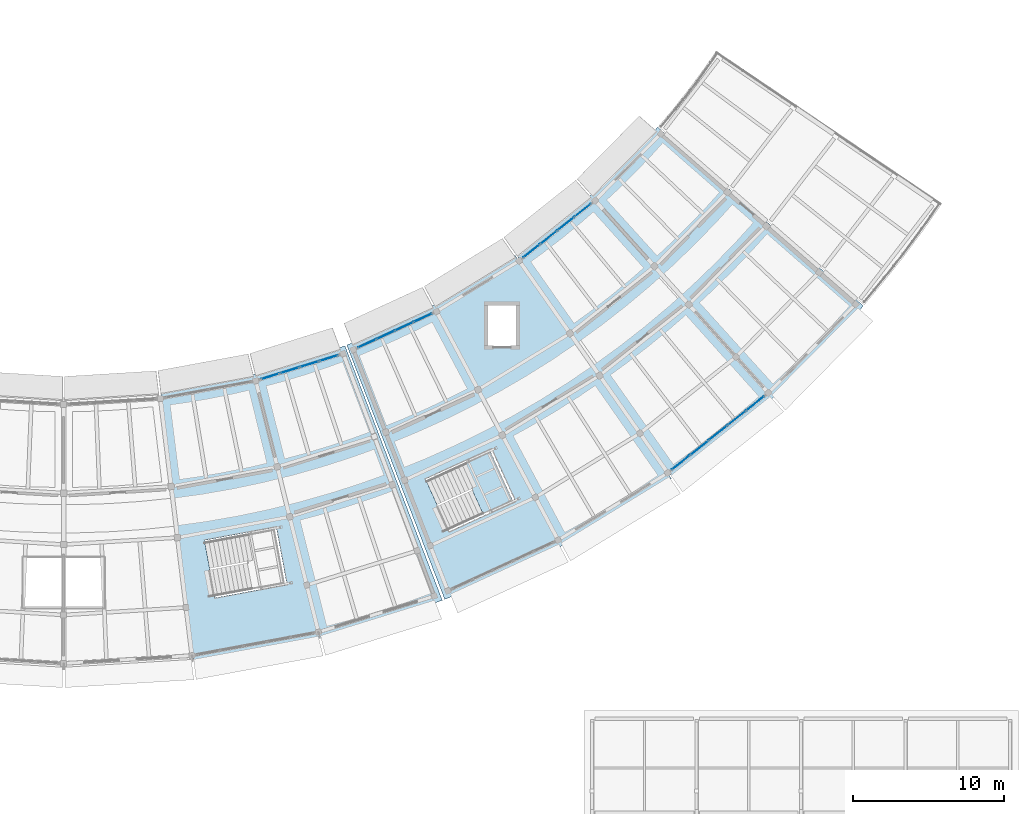
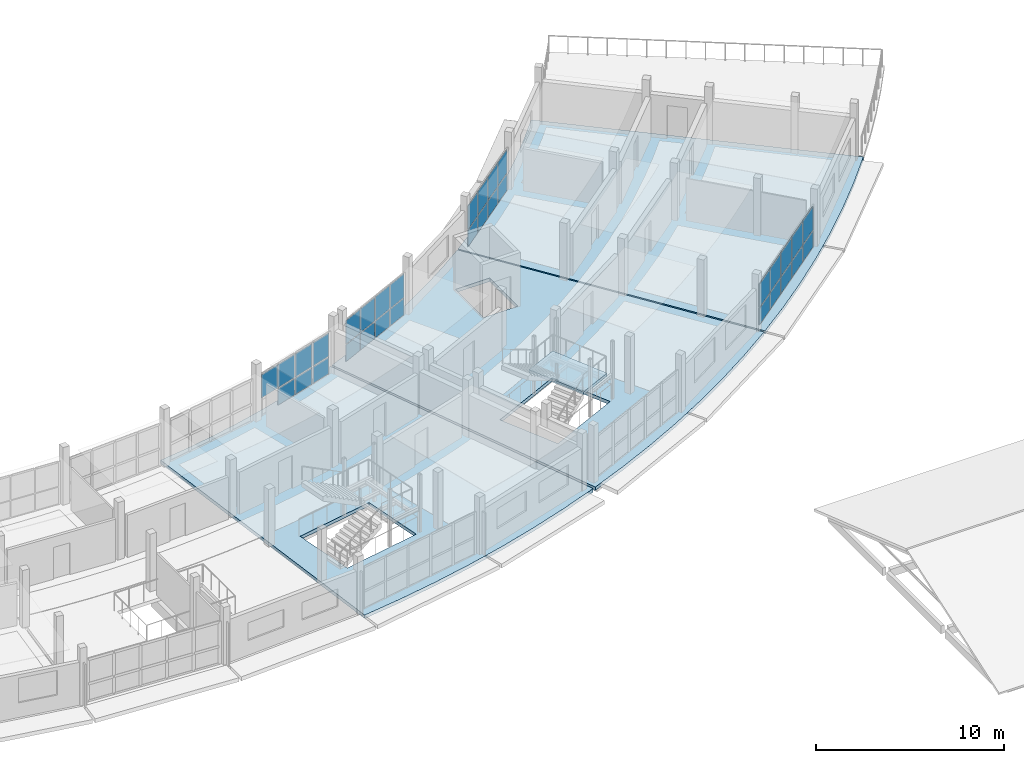
# One storey, part 44 of 66: 33 plates, 4 slabs, 5 elements without a shape of their own.
"""IFC4 building model written with IfcOpenShell, lengths in metres."""

from ifc_helpers import new_model, si_unit, direction, frame, origin, origin_2d, place, context, subcontext, project, spatial, polyline, rectangle, outline, extrude, material, layer, layer_set, type_object, element, aggregate, save


model = new_model("IFC4")

# Units and contexts
model_context = context("Model", 3, precision=1e-05, world=origin(), true_north=direction((0.0, 1.0)))
body_context = subcontext(model_context, "Body", "Model", "MODEL_VIEW")
ifc_project = project(units=[si_unit("LENGTHUNIT", "METRE"), si_unit("AREAUNIT", "SQUARE_METRE"), si_unit("VOLUMEUNIT", "CUBIC_METRE"), si_unit("PLANEANGLEUNIT", "RADIAN"), si_unit("MASSUNIT", "GRAM", prefix="KILO")], contexts=[model_context])

# Site, building, storey
site_placement = place(None, origin())
site = spatial("IfcSite", under=ifc_project, at=site_placement, CompositionType="ELEMENT")
building_placement = place(site_placement, origin())
building = spatial("IfcBuilding", under=site, at=building_placement, Name="Caldaven Crescent School", CompositionType="ELEMENT")
storey_placement = place(building_placement, frame((0.0, 0.0, 8.159912109375)))
storey = spatial("IfcBuildingStorey", under=building, at=storey_placement, Name="L02", CompositionType="ELEMENT", Elevation=8.159912109375)

# Curtain wall, plates
ifc_material_1 = material(Name="Anodised aluminium AA 6063-T6 and low-E double glazing", Category="aluminium")
ifc_layer_1 = layer(ifc_material_1, 0.22998046875)
ifc_layer_set_1 = layer_set([ifc_layer_1], Name="Anodised aluminium AA 6063-T6 and low-E double glazing")
curtain_wall_type_1 = type_object("IfcCurtainWallType", Name="CW-SYS4", PredefinedType="NOTDEFINED", material=ifc_layer_set_1)
curtain_wall_1_placement = place(storey_placement, origin())
curtain_wall_1 = element("IfcCurtainWall", 1, at=curtain_wall_1_placement, inside=storey, type_object=curtain_wall_type_1, Name="CW-L02-148", PredefinedType="NOTDEFINED")
ifc_material_2 = material(Name="Tempered low-E double glazing IGU", Category="glass")
ifc_layer_2 = layer(ifc_material_2, 0.033935546875)
ifc_layer_set_2 = layer_set([ifc_layer_2], Name="Tempered low-E double glazing IGU")
plate_type_1 = type_object("IfcPlateType", Name="PLT-CWP05", PredefinedType="CURTAIN_PANEL", material=ifc_layer_set_2)
plate_1_placement = place(storey_placement, frame((101.6416015625, 45.40478515625, 1.203125), z_axis=(0.0, 0.0, 1.0), x_axis=(0.954746818344, 0.297419758694, 0.0)))
plate_1 = element("IfcPlate", 2, at=plate_1_placement, type_object=plate_type_1, Name="CW4 panel 1.2", PredefinedType="CURTAIN_PANEL", context=body_context, shape_type="SweptSolid", body=[
    extrude(rectangle(XDim=1.255859375, YDim=0.033935546875, at=origin_2d()), origin(), (0.0, 0.0, 1.0), 1.507080078125),
])
plate_2_placement = place(storey_placement, frame((102.924072265625, 45.804443359375, 0.070068359375), z_axis=(0.0, 0.0, 1.0), x_axis=(0.954746818344, 0.297419758694, 0.0)))
plate_2 = element("IfcPlate", 3, at=plate_2_placement, type_object=plate_type_1, Name="CW4 panel 2.1", PredefinedType="CURTAIN_PANEL", context=body_context, shape_type="SweptSolid", body=[
    extrude(rectangle(XDim=1.290771484375, YDim=0.033935546875, at=origin_2d()), origin(), (0.0, 0.0, 1.0), 1.06298828125),
])
plate_3_placement = place(storey_placement, frame((102.924072265625, 45.804443359375, 1.203125), z_axis=(0.0, 0.0, 1.0), x_axis=(0.954746818344, 0.297419758694, 0.0)))
plate_3 = element("IfcPlate", 4, at=plate_3_placement, type_object=plate_type_1, Name="CW4 panel 2.2", PredefinedType="CURTAIN_PANEL", context=body_context, shape_type="SweptSolid", body=[
    extrude(rectangle(XDim=1.290771484375, YDim=0.033935546875, at=origin_2d()), origin(), (0.0, 0.0, 1.0), 1.507080078125),
])
plate_4_placement = place(storey_placement, frame((104.223388671875, 46.208984375, 0.070068359375), z_axis=(0.0, 0.0, 1.0), x_axis=(0.954746818344, 0.297419758694, 0.0)))
plate_4 = element("IfcPlate", 5, at=plate_4_placement, type_object=plate_type_1, Name="CW4 panel 3.1", PredefinedType="CURTAIN_PANEL", context=body_context, shape_type="SweptSolid", body=[
    extrude(rectangle(XDim=1.290771484375, YDim=0.033935546875, at=origin_2d()), origin(), (0.0, 0.0, 1.0), 1.06298828125),
])
plate_5_placement = place(storey_placement, frame((104.223388671875, 46.208984375, 1.203125), z_axis=(0.0, 0.0, 1.0), x_axis=(0.954746818344, 0.297419758694, 0.0)))
plate_5 = element("IfcPlate", 6, at=plate_5_placement, type_object=plate_type_1, Name="CW4 panel 3.2", PredefinedType="CURTAIN_PANEL", context=body_context, shape_type="SweptSolid", body=[
    extrude(rectangle(XDim=1.290771484375, YDim=0.033935546875, at=origin_2d()), origin(), (0.0, 0.0, 1.0), 1.507080078125),
])
plate_6_placement = place(storey_placement, frame((105.506103515625, 46.608642578125, 0.070068359375), z_axis=(0.0, 0.0, 1.0), x_axis=(0.954746818344, 0.297419758694, 0.0)))
plate_6 = element("IfcPlate", 7, at=plate_6_placement, type_object=plate_type_1, Name="CW4 panel 4.1", PredefinedType="CURTAIN_PANEL", context=body_context, shape_type="SweptSolid", body=[
    extrude(rectangle(XDim=1.255859375, YDim=0.033935546875, at=origin_2d()), origin(), (0.0, 0.0, 1.0), 1.06298828125),
])
plate_7_placement = place(storey_placement, frame((105.506103515625, 46.608642578125, 1.203125), z_axis=(0.0, 0.0, 1.0), x_axis=(0.954746818344, 0.297419758694, 0.0)))
plate_7 = element("IfcPlate", 8, at=plate_7_placement, type_object=plate_type_1, Name="CW4 panel 4.2", PredefinedType="CURTAIN_PANEL", context=body_context, shape_type="SweptSolid", body=[
    extrude(rectangle(XDim=1.255859375, YDim=0.033935546875, at=origin_2d()), origin(), (0.0, 0.0, 1.0), 1.507080078125),
])
aggregate(curtain_wall_1, [plate_1, plate_2, plate_3, plate_4, plate_5, plate_6, plate_7])

ifc_layer_3 = layer(ifc_material_1, 0.169921875)
ifc_layer_set_3 = layer_set([ifc_layer_3], Name="Anodised aluminium AA 6063-T6 and low-E double glazing")
curtain_wall_type_2 = type_object("IfcCurtainWallType", Name="CW-SYS1", PredefinedType="NOTDEFINED", material=ifc_layer_set_3)
curtain_wall_2_placement = place(storey_placement, origin())
curtain_wall_2 = element("IfcCurtainWall", 9, at=curtain_wall_2_placement, inside=storey, type_object=curtain_wall_type_2, Name="CW-L02-149", PredefinedType="NOTDEFINED")
ifc_layer_4 = layer(ifc_material_2, 0.035888671875)
ifc_layer_set_4 = layer_set([ifc_layer_4], Name="Tempered low-E double glazing IGU")
plate_type_2 = type_object("IfcPlateType", Name="PLT-CWP06", PredefinedType="CURTAIN_PANEL", material=ifc_layer_set_4)
plate_8_placement = place(storey_placement, frame((108.03759765625, 47.580078125, 0.06005859375), z_axis=(0.0, 0.0, 1.0), x_axis=(0.908527944654, 0.417824094306, 0.0)))
plate_8 = element("IfcPlate", 10, at=plate_8_placement, type_object=plate_type_2, Name="CW1 panel 1.1", PredefinedType="CURTAIN_PANEL", context=body_context, shape_type="SweptSolid", body=[
    extrude(rectangle(XDim=1.270751953125, YDim=0.035888671875, at=origin_2d()), origin(), (0.0, 0.0, 1.0), 1.077880859375),
])
plate_9_placement = place(storey_placement, frame((108.03759765625, 47.580078125, 1.197998046875), z_axis=(0.0, 0.0, 1.0), x_axis=(0.908527944654, 0.417824094306, 0.0)))
plate_9 = element("IfcPlate", 11, at=plate_9_placement, type_object=plate_type_2, Name="CW1 panel 1.2", PredefinedType="CURTAIN_PANEL", context=body_context, shape_type="SweptSolid", body=[
    extrude(rectangle(XDim=1.270751953125, YDim=0.035888671875, at=origin_2d()), origin(), (0.0, 0.0, 1.0), 1.52197265625),
])
plate_10_placement = place(storey_placement, frame((109.26025390625, 48.142578125, 0.06005859375), z_axis=(0.0, 0.0, 1.0), x_axis=(0.908527944654, 0.417824094306, 0.0)))
plate_10 = element("IfcPlate", 12, at=plate_10_placement, type_object=plate_type_2, Name="CW1 panel 2.1", PredefinedType="CURTAIN_PANEL", context=body_context, shape_type="SweptSolid", body=[
    extrude(rectangle(XDim=1.30078125, YDim=0.035888671875, at=origin_2d()), origin(), (0.0, 0.0, 1.0), 1.077880859375),
])
plate_11_placement = place(storey_placement, frame((109.26025390625, 48.142578125, 1.197998046875), z_axis=(0.0, 0.0, 1.0), x_axis=(0.908527944654, 0.417824094306, 0.0)))
plate_11 = element("IfcPlate", 13, at=plate_11_placement, type_object=plate_type_2, Name="CW1 panel 2.2", PredefinedType="CURTAIN_PANEL", context=body_context, shape_type="SweptSolid", body=[
    extrude(rectangle(XDim=1.30078125, YDim=0.035888671875, at=origin_2d()), origin(), (0.0, 0.0, 1.0), 1.52197265625),
])
plate_12_placement = place(storey_placement, frame((110.49658203125, 48.711181640625, 0.06005859375), z_axis=(0.0, 0.0, 1.0), x_axis=(0.908527944654, 0.417824094306, 0.0)))
plate_12 = element("IfcPlate", 14, at=plate_12_placement, type_object=plate_type_2, Name="CW1 panel 3.1", PredefinedType="CURTAIN_PANEL", context=body_context, shape_type="SweptSolid", body=[
    extrude(rectangle(XDim=1.30078125, YDim=0.035888671875, at=origin_2d()), origin(), (0.0, 0.0, 1.0), 1.077880859375),
])
plate_13_placement = place(storey_placement, frame((110.49658203125, 48.711181640625, 1.197998046875), z_axis=(0.0, 0.0, 1.0), x_axis=(0.908527944654, 0.417824094306, 0.0)))
plate_13 = element("IfcPlate", 15, at=plate_13_placement, type_object=plate_type_2, Name="CW1 panel 3.2", PredefinedType="CURTAIN_PANEL", context=body_context, shape_type="SweptSolid", body=[
    extrude(rectangle(XDim=1.30078125, YDim=0.035888671875, at=origin_2d()), origin(), (0.0, 0.0, 1.0), 1.52197265625),
])
plate_14_placement = place(storey_placement, frame((111.719482421875, 49.2734375, 0.06005859375), z_axis=(0.0, 0.0, 1.0), x_axis=(0.908527944654, 0.417824094306, 0.0)))
plate_14 = element("IfcPlate", 16, at=plate_14_placement, type_object=plate_type_2, Name="CW1 panel 4.1", PredefinedType="CURTAIN_PANEL", context=body_context, shape_type="SweptSolid", body=[
    extrude(rectangle(XDim=1.270751953125, YDim=0.035888671875, at=origin_2d()), origin(), (0.0, 0.0, 1.0), 1.077880859375),
])
plate_15_placement = place(storey_placement, frame((111.719482421875, 49.2734375, 1.197998046875), z_axis=(0.0, 0.0, 1.0), x_axis=(0.908527944654, 0.417824094306, 0.0)))
plate_15 = element("IfcPlate", 17, at=plate_15_placement, type_object=plate_type_2, Name="CW1 panel 4.2", PredefinedType="CURTAIN_PANEL", context=body_context, shape_type="SweptSolid", body=[
    extrude(rectangle(XDim=1.270751953125, YDim=0.035888671875, at=origin_2d()), origin(), (0.0, 0.0, 1.0), 1.52197265625),
])
aggregate(curtain_wall_2, [plate_8, plate_9, plate_10, plate_11, plate_12, plate_13, plate_14, plate_15])

ifc_layer_5 = layer(ifc_material_1, 0.2099609375)
ifc_layer_set_5 = layer_set([ifc_layer_5], Name="Anodised aluminium AA 6063-T6 and low-E double glazing")
curtain_wall_type_3 = type_object("IfcCurtainWallType", Name="CW-SYS3", PredefinedType="NOTDEFINED", material=ifc_layer_set_5)
curtain_wall_3_placement = place(storey_placement, origin())
curtain_wall_3 = element("IfcCurtainWall", 18, at=curtain_wall_3_placement, inside=storey, type_object=curtain_wall_type_3, Name="CW-L02-151", PredefinedType="NOTDEFINED")
ifc_layer_6 = layer(ifc_material_2, 0.0400390625)
ifc_layer_set_6 = layer_set([ifc_layer_6], Name="Tempered low-E double glazing IGU")
plate_type_3 = type_object("IfcPlateType", Name="PLT-CWP08", PredefinedType="CURTAIN_PANEL", material=ifc_layer_set_6)
plate_16_placement = place(storey_placement, frame((118.900390625, 53.684814453125, 0.06494140625), z_axis=(0.0, 0.0, 1.0), x_axis=(0.782608055493, 0.622514764063, 0.0)))
plate_16 = element("IfcPlate", 19, at=plate_16_placement, type_object=plate_type_3, Name="CW3 panel 1.1", PredefinedType="CURTAIN_PANEL", context=body_context, shape_type="SweptSolid", body=[
    extrude(rectangle(XDim=1.345947265625, YDim=0.0400390625, at=origin_2d()), origin(), (0.0, 0.0, 1.0), 1.070556640625),
])
plate_17_placement = place(storey_placement, frame((118.900390625, 53.684814453125, 1.20068359375), z_axis=(0.0, 0.0, 1.0), x_axis=(0.782608055493, 0.622514764063, 0.0)))
plate_17 = element("IfcPlate", 20, at=plate_17_placement, type_object=plate_type_3, Name="CW3 panel 1.2", PredefinedType="CURTAIN_PANEL", context=body_context, shape_type="SweptSolid", body=[
    extrude(rectangle(XDim=1.345947265625, YDim=0.0400390625, at=origin_2d()), origin(), (0.0, 0.0, 1.0), 1.514404296875),
])
plate_18_placement = place(storey_placement, frame((120.022216796875, 54.5771484375, 0.06494140625), z_axis=(0.0, 0.0, 1.0), x_axis=(0.782608055493, 0.622514764063, 0.0)))
plate_18 = element("IfcPlate", 21, at=plate_18_placement, type_object=plate_type_3, Name="CW3 panel 2.1", PredefinedType="CURTAIN_PANEL", context=body_context, shape_type="SweptSolid", body=[
    extrude(rectangle(XDim=1.381103515625, YDim=0.0400390625, at=origin_2d()), origin(), (0.0, 0.0, 1.0), 1.070556640625),
])
plate_19_placement = place(storey_placement, frame((120.022216796875, 54.5771484375, 1.20068359375), z_axis=(0.0, 0.0, 1.0), x_axis=(0.782608055493, 0.622514764063, 0.0)))
plate_19 = element("IfcPlate", 22, at=plate_19_placement, type_object=plate_type_3, Name="CW3 panel 2.2", PredefinedType="CURTAIN_PANEL", context=body_context, shape_type="SweptSolid", body=[
    extrude(rectangle(XDim=1.381103515625, YDim=0.0400390625, at=origin_2d()), origin(), (0.0, 0.0, 1.0), 1.514404296875),
])
plate_20_placement = place(storey_placement, frame((121.15771484375, 55.48046875, 0.06494140625), z_axis=(0.0, 0.0, 1.0), x_axis=(0.782608055493, 0.622514764063, 0.0)))
plate_20 = element("IfcPlate", 23, at=plate_20_placement, type_object=plate_type_3, Name="CW3 panel 3.1", PredefinedType="CURTAIN_PANEL", context=body_context, shape_type="SweptSolid", body=[
    extrude(rectangle(XDim=1.381103515625, YDim=0.0400390625, at=origin_2d()), origin(), (0.0, 0.0, 1.0), 1.070556640625),
])
plate_21_placement = place(storey_placement, frame((121.15771484375, 55.48046875, 1.20068359375), z_axis=(0.0, 0.0, 1.0), x_axis=(0.782608055493, 0.622514764063, 0.0)))
plate_21 = element("IfcPlate", 24, at=plate_21_placement, type_object=plate_type_3, Name="CW3 panel 3.2", PredefinedType="CURTAIN_PANEL", context=body_context, shape_type="SweptSolid", body=[
    extrude(rectangle(XDim=1.381103515625, YDim=0.0400390625, at=origin_2d()), origin(), (0.0, 0.0, 1.0), 1.514404296875),
])
plate_22_placement = place(storey_placement, frame((122.279541015625, 56.372802734375, 0.06494140625), z_axis=(0.0, 0.0, 1.0), x_axis=(0.782608055493, 0.622514764063, 0.0)))
plate_22 = element("IfcPlate", 25, at=plate_22_placement, type_object=plate_type_3, Name="CW3 panel 4.1", PredefinedType="CURTAIN_PANEL", context=body_context, shape_type="SweptSolid", body=[
    extrude(rectangle(XDim=1.345947265625, YDim=0.0400390625, at=origin_2d()), origin(), (0.0, 0.0, 1.0), 1.070556640625),
])
plate_23_placement = place(storey_placement, frame((122.279541015625, 56.372802734375, 1.20068359375), z_axis=(0.0, 0.0, 1.0), x_axis=(0.782608055493, 0.622514764063, 0.0)))
plate_23 = element("IfcPlate", 26, at=plate_23_placement, type_object=plate_type_3, Name="CW3 panel 4.2", PredefinedType="CURTAIN_PANEL", context=body_context, shape_type="SweptSolid", body=[
    extrude(rectangle(XDim=1.345947265625, YDim=0.0400390625, at=origin_2d()), origin(), (0.0, 0.0, 1.0), 1.514404296875),
])
aggregate(curtain_wall_3, [plate_16, plate_17, plate_18, plate_19, plate_20, plate_21, plate_22, plate_23])

curtain_wall_4_placement = place(storey_placement, origin())
curtain_wall_4 = element("IfcCurtainWall", 27, at=curtain_wall_4_placement, inside=storey, type_object=curtain_wall_type_2, Name="CW-L02-152", PredefinedType="NOTDEFINED")
ifc_layer_7 = layer(ifc_material_2, 0.0419921875)
ifc_layer_set_7 = layer_set([ifc_layer_7], Name="Tempered low-E double glazing IGU")
plate_type_4 = type_object("IfcPlateType", Name="PLT-CWP09", PredefinedType="CURTAIN_PANEL", material=ifc_layer_set_7)
plate_24_placement = place(storey_placement, frame((128.75732421875, 39.716064453125, 0.070068359375), z_axis=(0.0, 0.0, 1.0), x_axis=(0.782608476107, 0.622514235279, 0.0)))
plate_24 = element("IfcPlate", 28, at=plate_24_placement, type_object=plate_type_4, Name="CW1 panel 1.1", PredefinedType="CURTAIN_PANEL", context=body_context, shape_type="SweptSolid", body=[
    extrude(rectangle(XDim=1.48095703125, YDim=0.0419921875, at=origin_2d()), origin(), (0.0, 0.0, 1.0), 1.06298828125),
])
plate_25_placement = place(storey_placement, frame((128.75732421875, 39.716064453125, 1.203125), z_axis=(0.0, 0.0, 1.0), x_axis=(0.782608476107, 0.622514235279, 0.0)))
plate_25 = element("IfcPlate", 29, at=plate_25_placement, type_object=plate_type_4, Name="CW1 panel 1.2", PredefinedType="CURTAIN_PANEL", context=body_context, shape_type="SweptSolid", body=[
    extrude(rectangle(XDim=1.48095703125, YDim=0.0419921875, at=origin_2d()), origin(), (0.0, 0.0, 1.0), 1.507080078125),
])
plate_26_placement = place(storey_placement, frame((129.97998046875, 40.6884765625, 0.070068359375), z_axis=(0.0, 0.0, 1.0), x_axis=(0.782608476107, 0.622514235279, 0.0)))
plate_26 = element("IfcPlate", 30, at=plate_26_placement, type_object=plate_type_4, Name="CW1 panel 2.1", PredefinedType="CURTAIN_PANEL", context=body_context, shape_type="SweptSolid", body=[
    extrude(rectangle(XDim=1.513427734375, YDim=0.0419921875, at=origin_2d()), origin(), (0.0, 0.0, 1.0), 1.06298828125),
])
plate_27_placement = place(storey_placement, frame((129.97998046875, 40.6884765625, 1.203125), z_axis=(0.0, 0.0, 1.0), x_axis=(0.782608476107, 0.622514235279, 0.0)))
plate_27 = element("IfcPlate", 31, at=plate_27_placement, type_object=plate_type_4, Name="CW1 panel 2.2", PredefinedType="CURTAIN_PANEL", context=body_context, shape_type="SweptSolid", body=[
    extrude(rectangle(XDim=1.513427734375, YDim=0.0419921875, at=origin_2d()), origin(), (0.0, 0.0, 1.0), 1.507080078125),
])
plate_28_placement = place(storey_placement, frame((131.215087890625, 41.671142578125, 0.070068359375), z_axis=(0.0, 0.0, 1.0), x_axis=(0.782608476107, 0.622514235279, 0.0)))
plate_28 = element("IfcPlate", 32, at=plate_28_placement, type_object=plate_type_4, Name="CW1 panel 3.1", PredefinedType="CURTAIN_PANEL", context=body_context, shape_type="SweptSolid", body=[
    extrude(rectangle(XDim=1.513427734375, YDim=0.0419921875, at=origin_2d()), origin(), (0.0, 0.0, 1.0), 1.06298828125),
])
plate_29_placement = place(storey_placement, frame((131.215087890625, 41.671142578125, 1.203125), z_axis=(0.0, 0.0, 1.0), x_axis=(0.782608476107, 0.622514235279, 0.0)))
plate_29 = element("IfcPlate", 33, at=plate_29_placement, type_object=plate_type_4, Name="CW1 panel 3.2", PredefinedType="CURTAIN_PANEL", context=body_context, shape_type="SweptSolid", body=[
    extrude(rectangle(XDim=1.513427734375, YDim=0.0419921875, at=origin_2d()), origin(), (0.0, 0.0, 1.0), 1.507080078125),
])
plate_30_placement = place(storey_placement, frame((132.450439453125, 42.653564453125, 0.070068359375), z_axis=(0.0, 0.0, 1.0), x_axis=(0.782608476107, 0.622514235279, 0.0)))
plate_30 = element("IfcPlate", 34, at=plate_30_placement, type_object=plate_type_4, Name="CW1 panel 4.1", PredefinedType="CURTAIN_PANEL", context=body_context, shape_type="SweptSolid", body=[
    extrude(rectangle(XDim=1.513427734375, YDim=0.0419921875, at=origin_2d()), origin(), (0.0, 0.0, 1.0), 1.06298828125),
])
plate_31_placement = place(storey_placement, frame((132.450439453125, 42.653564453125, 1.203125), z_axis=(0.0, 0.0, 1.0), x_axis=(0.782608476107, 0.622514235279, 0.0)))
plate_31 = element("IfcPlate", 35, at=plate_31_placement, type_object=plate_type_4, Name="CW1 panel 4.2", PredefinedType="CURTAIN_PANEL", context=body_context, shape_type="SweptSolid", body=[
    extrude(rectangle(XDim=1.513427734375, YDim=0.0419921875, at=origin_2d()), origin(), (0.0, 0.0, 1.0), 1.507080078125),
])
plate_32_placement = place(storey_placement, frame((133.6728515625, 43.626220703125, 0.070068359375), z_axis=(0.0, 0.0, 1.0), x_axis=(0.782608476107, 0.622514235279, 0.0)))
plate_32 = element("IfcPlate", 36, at=plate_32_placement, type_object=plate_type_4, Name="CW1 panel 5.1", PredefinedType="CURTAIN_PANEL", context=body_context, shape_type="SweptSolid", body=[
    extrude(rectangle(XDim=1.48095703125, YDim=0.0419921875, at=origin_2d()), origin(), (0.0, 0.0, 1.0), 1.06298828125),
])
plate_33_placement = place(storey_placement, frame((133.6728515625, 43.626220703125, 1.203125), z_axis=(0.0, 0.0, 1.0), x_axis=(0.782608476107, 0.622514235279, 0.0)))
plate_33 = element("IfcPlate", 37, at=plate_33_placement, type_object=plate_type_4, Name="CW1 panel 5.2", PredefinedType="CURTAIN_PANEL", context=body_context, shape_type="SweptSolid", body=[
    extrude(rectangle(XDim=1.48095703125, YDim=0.0419921875, at=origin_2d()), origin(), (0.0, 0.0, 1.0), 1.507080078125),
])
aggregate(curtain_wall_4, [plate_24, plate_25, plate_26, plate_27, plate_28, plate_29, plate_30, plate_31, plate_32, plate_33])

# Slabs
ifc_material_3 = material(Name="Cross-laminated timber CLT C24", Category="wood")
ifc_layer_8 = layer(ifc_material_3, 0.219970703125)
ifc_layer_set_8 = layer_set([ifc_layer_8], Name="Cross-laminated timber CLT C24")
slab_type_1 = type_object("IfcSlabType", Name="SLB-FS2", PredefinedType="FLOOR", material=ifc_layer_set_8)
slab_1_placement = place(storey_placement, frame((0.0, 0.0, -0.219970703125)))
element("IfcSlab", 38, at=slab_1_placement, inside=storey, type_object=slab_type_1, Name="SLB-V5-L02-B09", PredefinedType="FLOOR", context=body_context, shape_type="SweptSolid", body=[
    extrude(outline(polyline([(96.6162109375, 26.5322265625), (99.01123046875, 26.87158203125), (101.392822265625, 27.293212890625), (103.758544921875, 27.796875), (106.10546875, 28.382080078125), (108.4306640625, 29.0478515625), (110.731689453125, 29.793701171875), (113.00537109375, 30.61865234375), (106.575439453125, 47.430908203125), (104.886474609375, 46.818115234375), (103.177001953125, 46.26416015625), (101.44970703125, 45.76953125), (99.706298828125, 45.334716796875), (97.948974609375, 44.960693359375), (96.1796875, 44.6474609375), (94.400634765625, 44.3955078125), (96.6162109375, 26.5322265625)]), holes=[polyline([(98.000732421875, 30.7802734375), (97.29736328125, 34.57568359375), (102.03857421875, 35.45458984375), (102.741943359375, 31.6591796875), (98.000732421875, 30.7802734375)])]), origin(), (0.0, 0.0, 1.0), 0.219970703125),
])
slab_2_placement = place(storey_placement, frame((0.0, 0.0, -0.219970703125)))
element("IfcSlab", 39, at=slab_2_placement, inside=storey, type_object=slab_type_1, Name="SLB-V4E-L02-B11", PredefinedType="FLOOR", context=body_context, shape_type="SweptSolid", body=[
    extrude(outline(polyline([(113.166015625, 30.68017578125), (115.416015625, 31.59228515625), (117.633056640625, 32.581787109375), (119.814453125, 33.6474609375), (121.95751953125, 34.7880859375), (124.0595703125, 36.00244140625), (126.11865234375, 37.2890625), (128.131591796875, 38.646240234375), (117.81201171875, 53.394287109375), (116.316650390625, 52.38623046875), (114.787109375, 51.430419921875), (113.2255859375, 50.5283203125), (111.633544921875, 49.680908203125), (110.01318359375, 48.88916015625), (108.3662109375, 48.154296875), (106.69482421875, 47.476806640625), (113.166015625, 30.68017578125)]), holes=[polyline([(115.896484375, 47.263671875), (115.896484375, 50.263671875), (117.996337890625, 50.263671875), (117.996337890625, 47.263671875), (115.896484375, 47.263671875)]), polyline([(113.465087890625, 35.173583984375), (111.897705078125, 38.61328125), (116.2490234375, 40.59619140625), (117.816650390625, 37.156494140625), (113.465087890625, 35.173583984375)])]), origin(), (0.0, 0.0, 1.0), 0.219970703125),
])
slab_3_placement = place(storey_placement, frame((0.0, 0.0, -0.219970703125)))
element("IfcSlab", 40, at=slab_3_placement, inside=storey, type_object=slab_type_1, Name="SLB-V4E-L02-B13", PredefinedType="FLOOR", context=body_context, shape_type="SweptSolid", body=[
    extrude(outline(polyline([(128.220703125, 38.708740234375), (130.183349609375, 40.137939453125), (132.09521484375, 41.63427734375), (133.953857421875, 43.196044921875), (135.75732421875, 44.821533203125), (137.503173828125, 46.50830078125), (139.189697265625, 48.254638671875), (140.814697265625, 50.05859375), (127.233642578125, 61.8720703125), (126.026611328125, 60.531982421875), (124.77392578125, 59.23486328125), (123.476806640625, 57.981689453125), (122.13720703125, 56.774169921875), (120.75634765625, 55.614013671875), (119.336181640625, 54.50244140625), (117.87841796875, 53.44091796875), (128.220703125, 38.708740234375)])), origin(), (0.0, 0.0, 1.0), 0.219970703125),
])

# Stair, slab
ifc_material_4 = material(Name="Precast concrete C30/37", Category="concrete")
stair_type = type_object("IfcStairType", Name="STR-S5", PredefinedType="TWO_STRAIGHT_RUN_STAIR", material=ifc_material_4)
stair_placement = place(storey_placement, origin())
stair = element("IfcStair", 41, at=stair_placement, inside=storey, type_object=stair_type, Name="STAIR-ST4-L02", PredefinedType="TWO_STRAIGHT_RUN_STAIR")
ifc_material_5 = material(Name="Concrete C30/37", Category="concrete")
ifc_layer_9 = layer(ifc_material_5, 0.195068359375)
ifc_layer_set_9 = layer_set([ifc_layer_9], Name="Concrete C30/37")
slab_type_2 = type_object("IfcSlabType", Name="SLB-LND2", PredefinedType="LANDING", material=ifc_layer_set_9)
slab_4_placement = place(storey_placement, frame((0.0, 0.0, 1.675048828125)))
slab_4 = element("IfcSlab", 42, at=slab_4_placement, type_object=slab_type_2, Name="ST4-L02 landing 1", PredefinedType="LANDING", context=body_context, shape_type="SweptSolid", body=[
    extrude(outline(polyline([(115.697998046875, 36.31201171875), (117.661865234375, 37.206787109375), (116.185546875, 40.4462890625), (114.221923828125, 39.551513671875), (115.697998046875, 36.31201171875)])), origin(), (0.0, 0.0, 1.0), 0.195068359375),
])
aggregate(stair, [slab_4])

save(model, "model.ifc")
